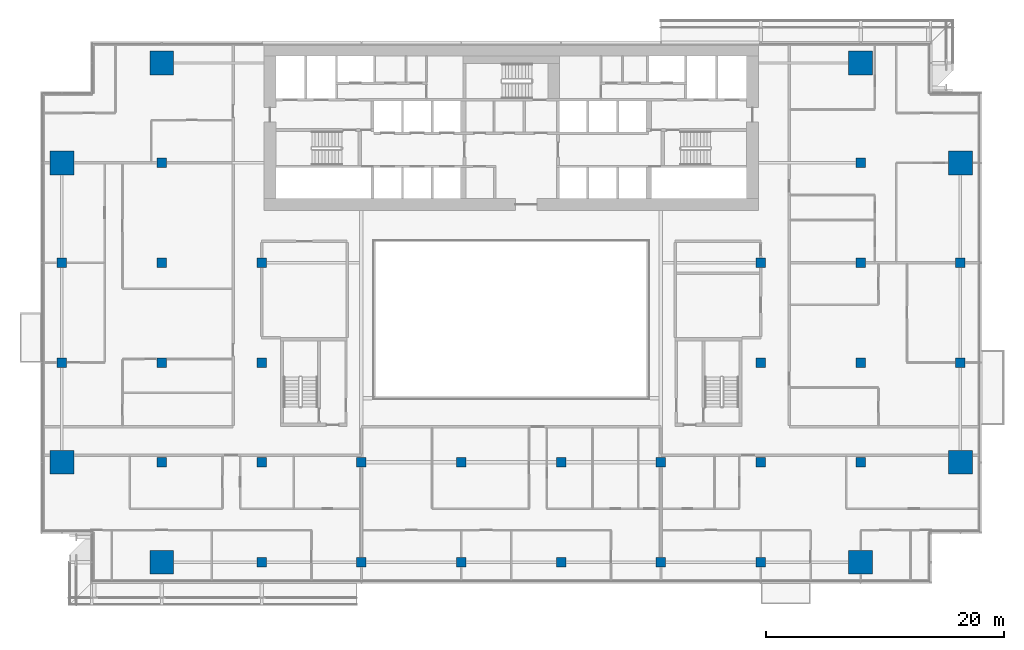
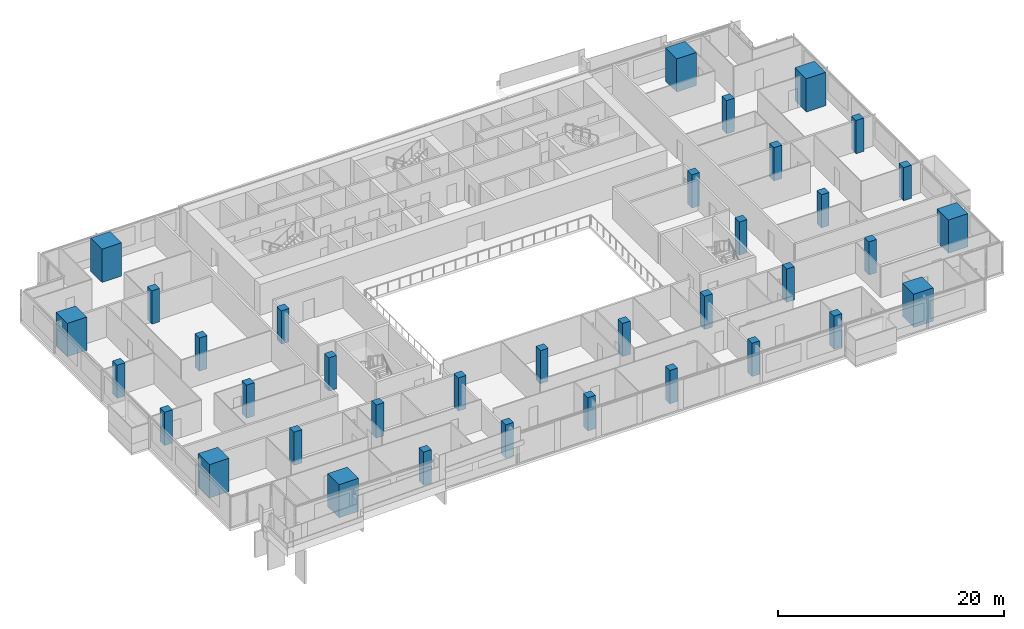
# One storey, part 1 of 29: 36 columns.
"""IFC4 building model written with IfcOpenShell, lengths in metres."""

from ifc_helpers import new_model, si_unit, direction, frame, origin, origin_2d, place, context, subcontext, project, spatial, rectangle, extrude, material, material_profile, profile_set, type_object, element, save


model = new_model("IFC4")

# Units and contexts
model_context = context("Model", 3, precision=1e-05, world=origin(), true_north=direction((0.0, 1.0)))
body_context = subcontext(model_context, "Body", "Model", "MODEL_VIEW")
ifc_project = project(units=[si_unit("LENGTHUNIT", "METRE"), si_unit("AREAUNIT", "SQUARE_METRE"), si_unit("VOLUMEUNIT", "CUBIC_METRE"), si_unit("PLANEANGLEUNIT", "RADIAN"), si_unit("MASSUNIT", "GRAM", prefix="KILO")], contexts=[model_context])

# Site, building, storey
site_placement = place(None, origin())
site = spatial("IfcSite", under=ifc_project, at=site_placement, CompositionType="ELEMENT")
building_placement = place(site_placement, origin())
building = spatial("IfcBuilding", under=site, at=building_placement, Name="Saffron Gate Tower", CompositionType="ELEMENT")
storey_placement = place(building_placement, frame((0.0, 0.0, 116.85009765625)))
storey = spatial("IfcBuildingStorey", under=building, at=storey_placement, Name="L27", CompositionType="ELEMENT", Elevation=116.85009765625)

# Columns
ifc_material_1 = material(Name="Concrete C60", Category="concrete")
ifc_material_profile_1 = material_profile(ifc_material_1, rectangle(XDim=0.800048828125, YDim=0.800048828125, at=origin_2d()))
ifc_profile_set_1 = profile_set([ifc_material_profile_1], Name="Concrete C60")
column_type_1 = type_object("IfcColumnType", Name="C5 RC 800x800 CONCRETE C60", PredefinedType="COLUMN", material=ifc_profile_set_1)
for number, where, z_axis, x_axis, name in (
    (1, (49.800048828125, 48.60009765625, 0.0), (0.0, 0.0, 1.0), (1.0, 0.0, 0.0), "C5 COLUMN X1-C"),
    (2, (49.800048828125, 57.0, 0.0), (0.0, 0.0, 1.0), (1.0, 0.0, 0.0), "C5 COLUMN X1-D"),
    (3, (58.199951171875, 40.199951171875, 0.0), (0.0, 0.0, 1.0), (1.0, 0.0, 0.0), "C5 COLUMN X2-B"),
    (4, (58.199951171875, 48.60009765625, 0.0), (0.0, 0.0, 1.0), (1.0, 0.0, 0.0), "C5 COLUMN X2-C"),
    (5, (58.199951171875, 57.0, 0.0), (0.0, 0.0, 1.0), (1.0, 0.0, 0.0), "C5 COLUMN X2-D"),
    (6, (58.199951171875, 65.39990234375, 0.0), (0.0, 0.0, 1.0), (1.0, 0.0, 0.0), "C5 COLUMN X2-E"),
    (7, (66.60009765625, 31.800048828125, 0.0), (0.0, 0.0, 1.0), (1.0, 0.0, 0.0), "C5 COLUMN X3-A"),
    (8, (66.60009765625, 40.199951171875, 0.0), (0.0, 0.0, 1.0), (1.0, 0.0, 0.0), "C5 COLUMN X3-B"),
    (9, (66.60009765625, 48.60009765625, 0.0), (0.0, 0.0, 1.0), (1.0, 0.0, 0.0), "C5 COLUMN X3-C"),
    (10, (66.60009765625, 57.0, 0.0), (0.0, 0.0, 1.0), (1.0, 0.0, 0.0), "C5 COLUMN X3-D"),
    (11, (75.0, 31.800048828125, 0.0), (0.0, 0.0, 1.0), (1.0, 0.0, 0.0), "C5 COLUMN X4-A"),
    (12, (75.0, 40.199951171875, 0.0), (0.0, 0.0, 1.0), (1.0, 0.0, 0.0), "C5 COLUMN X4-B"),
    (13, (83.39990234375, 31.800048828125, 0.0), (0.0, 0.0, 1.0), (1.0, 0.0, 0.0), "C5 COLUMN X5-A"),
    (14, (83.39990234375, 40.199951171875, 0.0), (0.0, 0.0, 1.0), (1.0, 0.0, 0.0), "C5 COLUMN X5-B"),
    (15, (91.800048828125, 31.800048828125, 0.0), (0.0, 0.0, 1.0), (1.0, 0.0, 0.0), "C5 COLUMN X6-A"),
    (16, (91.800048828125, 40.199951171875, 0.0), (0.0, 0.0, 1.0), (1.0, 0.0, 0.0), "C5 COLUMN X6-B"),
    (17, (100.199951171875, 31.800048828125, 0.0), (0.0, 0.0, 1.0), (1.0, 0.0, 0.0), "C5 COLUMN X7-A"),
    (18, (100.199951171875, 40.199951171875, 0.0), (0.0, 0.0, 1.0), (1.0, 0.0, 0.0), "C5 COLUMN X7-B"),
    (19, (108.60009765625, 31.800048828125, 0.0), (0.0, 0.0, 1.0), (1.0, 0.0, 0.0), "C5 COLUMN X8-A"),
    (20, (108.60009765625, 40.199951171875, 0.0), (0.0, 0.0, 1.0), (1.0, 0.0, 0.0), "C5 COLUMN X8-B"),
    (21, (108.60009765625, 48.60009765625, 0.0), (0.0, 0.0, 1.0), (1.0, 0.0, 0.0), "C5 COLUMN X8-C"),
    (22, (108.60009765625, 57.0, 0.0), (0.0, 0.0, 1.0), (1.0, 0.0, 0.0), "C5 COLUMN X8-D"),
    (23, (117.0, 40.199951171875, 0.0), (0.0, 0.0, 1.0), (1.0, 0.0, 0.0), "C5 COLUMN X9-B"),
    (24, (117.0, 48.60009765625, 0.0), (0.0, 0.0, 1.0), (1.0, 0.0, 0.0), "C5 COLUMN X9-C"),
    (25, (117.0, 57.0, 0.0), (0.0, 0.0, 1.0), (1.0, 0.0, 0.0), "C5 COLUMN X9-D"),
    (26, (117.0, 65.39990234375, 0.0), (0.0, 0.0, 1.0), (1.0, 0.0, 0.0), "C5 COLUMN X9-E"),
    (27, (125.39990234375, 48.60009765625, 0.0), (0.0, 0.0, 1.0), (1.0, 0.0, 0.0), "C5 COLUMN X10-C"),
    (28, (125.39990234375, 57.0, 0.0), (0.0, 0.0, 1.0), (1.0, 0.0, 0.0), "C5 COLUMN X10-D"),
):
    element("IfcColumn", number, at=place(storey_placement, frame(where, z_axis=z_axis, x_axis=x_axis)), inside=storey, type_object=column_type_1, Name=name, PredefinedType="COLUMN", context=body_context, shape_type="SweptSolid", body=[
        extrude(rectangle(XDim=0.800048828125, YDim=0.800048828125, at=origin_2d()), origin(), (0.0, 0.0, 1.0), 3.599853515625),
    ])
ifc_material_2 = material(Name="Concrete C80", Category="concrete")
ifc_material_profile_2 = material_profile(ifc_material_2, rectangle(XDim=2.0, YDim=2.0, at=origin_2d()))
ifc_profile_set_2 = profile_set([ifc_material_profile_2], Name="Concrete C80")
column_type_2 = type_object("IfcColumnType", Name="MC3 RC 2000x2000 CONCRETE C80", PredefinedType="COLUMN", material=ifc_profile_set_2)
for number, where, z_axis, x_axis, name in (
    (29, (49.800048828125, 40.199951171875, 0.0), (0.0, 0.0, 1.0), (1.0, 0.0, 0.0), "MC3 MEGA COLUMN X1-B"),
    (30, (49.800048828125, 65.39990234375, 0.0), (0.0, 0.0, 1.0), (1.0, 0.0, 0.0), "MC3 MEGA COLUMN X1-E"),
    (31, (58.199951171875, 31.800048828125, 0.0), (0.0, 0.0, 1.0), (1.0, 0.0, 0.0), "MC3 MEGA COLUMN X2-A"),
    (32, (58.199951171875, 73.800048828125, 0.0), (0.0, 0.0, 1.0), (1.0, 0.0, 0.0), "MC3 MEGA COLUMN X2-F"),
    (33, (117.0, 31.800048828125, 0.0), (0.0, 0.0, 1.0), (1.0, 0.0, 0.0), "MC3 MEGA COLUMN X9-A"),
    (34, (117.0, 73.800048828125, 0.0), (0.0, 0.0, 1.0), (1.0, 0.0, 0.0), "MC3 MEGA COLUMN X9-F"),
    (35, (125.39990234375, 40.199951171875, 0.0), (0.0, 0.0, 1.0), (1.0, 0.0, 0.0), "MC3 MEGA COLUMN X10-B"),
    (36, (125.39990234375, 65.39990234375, 0.0), (0.0, 0.0, 1.0), (1.0, 0.0, 0.0), "MC3 MEGA COLUMN X10-E"),
):
    element("IfcColumn", number, at=place(storey_placement, frame(where, z_axis=z_axis, x_axis=x_axis)), inside=storey, type_object=column_type_2, Name=name, PredefinedType="COLUMN", context=body_context, shape_type="SweptSolid", body=[
        extrude(rectangle(XDim=2.0, YDim=2.0, at=origin_2d()), origin(), (0.0, 0.0, 1.0), 3.599853515625),
    ])

save(model, "model.ifc")
